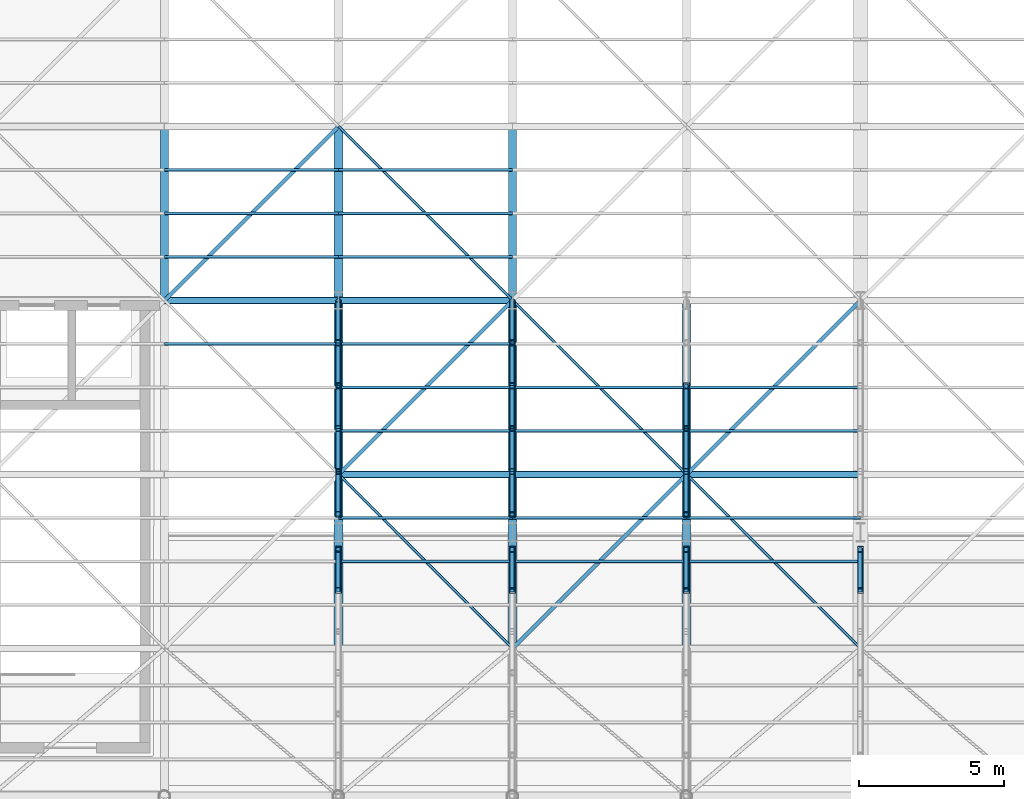
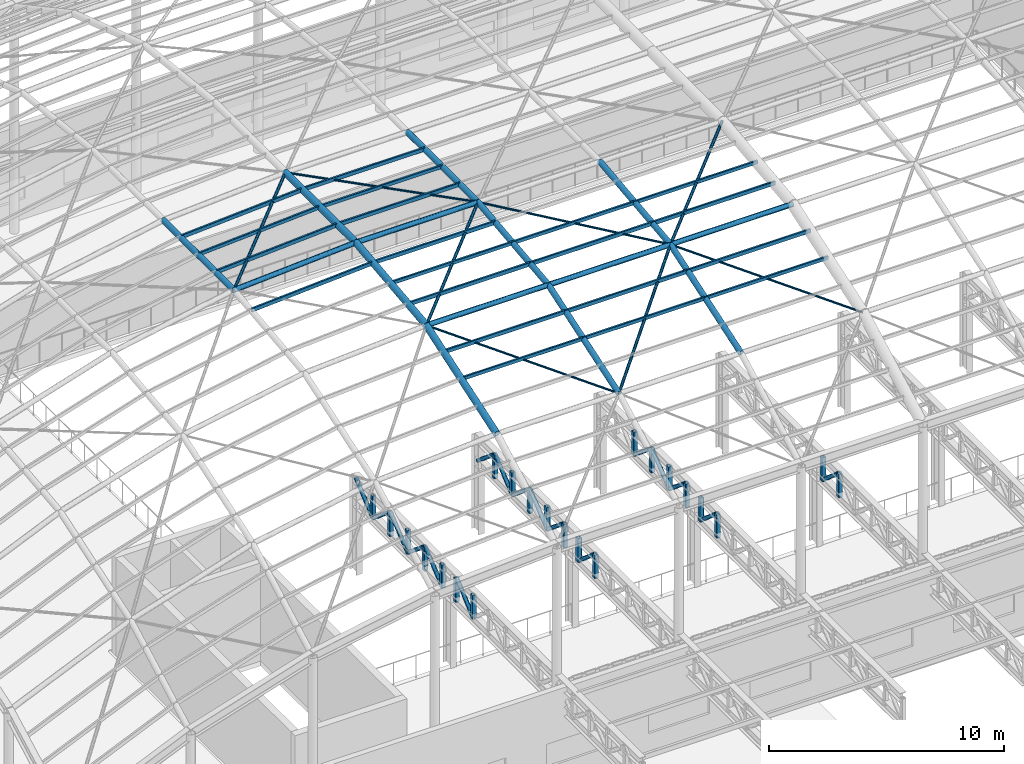
# One storey, part 29 of 75: 81 members.
"""IFC4 building model written with IfcOpenShell, lengths in metres."""

from ifc_helpers import new_model, si_unit, direction, frame, origin, origin_2d, place, context, subcontext, project, spatial, hollow_rectangle, hollow_circle, extrude, material, material_profile, profile_set, type_object, element, save


model = new_model("IFC4")

# Units and contexts
model_context = context("Model", 3, precision=1e-05, world=origin(), true_north=direction((0.0, 1.0)))
body_context = subcontext(model_context, "Body", "Model", "MODEL_VIEW")
ifc_project = project(units=[si_unit("LENGTHUNIT", "METRE"), si_unit("AREAUNIT", "SQUARE_METRE"), si_unit("VOLUMEUNIT", "CUBIC_METRE"), si_unit("PLANEANGLEUNIT", "RADIAN"), si_unit("MASSUNIT", "GRAM", prefix="KILO")], contexts=[model_context])

# Site, building, storey
site_placement = place(None, origin())
site = spatial("IfcSite", under=ifc_project, at=site_placement, CompositionType="ELEMENT")
building_placement = place(site_placement, origin())
building = spatial("IfcBuilding", under=site, at=building_placement, Name="Kolvaren Corner Interchange", CompositionType="ELEMENT")
storey_placement = place(building_placement, frame((0.0, 0.0, 10.5)))
storey = spatial("IfcBuildingStorey", under=building, at=storey_placement, Name="L03", CompositionType="ELEMENT", Elevation=10.5)

# Members
ifc_material_1 = material(Name="Steel S355", Category="steel")
ifc_material_profile_1 = material_profile(ifc_material_1, hollow_circle(Radius=0.05078125, WallThickness=0.00634765625, at=origin_2d()), Name="CHS 101.6x6.3")
ifc_profile_set_1 = profile_set([ifc_material_profile_1], Name="Steel S355")
member_type_1 = type_object("IfcMemberType", Name="MEM-BR-CHS102", PredefinedType="BRACE", material=ifc_profile_set_1)
member_1_placement = place(storey_placement, frame((72.0, 36.0, 16.4130859375), z_axis=(0.688247201612, -0.688247201612, -0.229415733871), x_axis=(0.707106781187, 0.707106781187, 0.0)))
element("IfcMember", 1, at=member_1_placement, inside=storey, type_object=member_type_1, Name="Concourse Translational Gridshell Nodal Diagonal Brace 0034", PredefinedType="BRACE", context=body_context, shape_type="SweptSolid", body=[
    extrude(hollow_circle(Radius=0.05078125, WallThickness=0.00634765625, at=origin_2d()), origin(), (0.0, 0.0, 1.0), 8.7177734375),
])
member_2_placement = place(storey_placement, frame((72.0, 48.0, 17.080078125), z_axis=(0.707106781187, -0.707106781187, 0.0), x_axis=(0.707106781187, 0.707106781187, 0.0)))
element("IfcMember", 2, at=member_2_placement, inside=storey, type_object=member_type_1, Name="Concourse Translational Gridshell Nodal Diagonal Brace 0036", PredefinedType="BRACE", context=body_context, shape_type="SweptSolid", body=[
    extrude(hollow_circle(Radius=0.05078125, WallThickness=0.00634765625, at=origin_2d()), origin(), (0.0, 0.0, 1.0), 8.4853515625),
])
member_3_placement = place(storey_placement, frame((78.0, 42.0, 17.080078125), z_axis=(0.704932292788, -0.704932292788, -0.078364055334), x_axis=(0.707106781187, 0.707106781187, 0.0)))
element("IfcMember", 3, at=member_3_placement, inside=storey, type_object=member_type_1, Name="Concourse Translational Gridshell Nodal Diagonal Brace 0043", PredefinedType="BRACE", context=body_context, shape_type="SweptSolid", body=[
    extrude(hollow_circle(Radius=0.05078125, WallThickness=0.00634765625, at=origin_2d()), origin(), (0.0, 0.0, 1.0), 8.511474609375),
])
member_4_placement = place(storey_placement, frame((84.0, 36.0, 16.4130859375), z_axis=(0.688247201612, -0.688247201612, -0.229415733871), x_axis=(0.707106781187, 0.707106781187, 0.0)))
element("IfcMember", 4, at=member_4_placement, inside=storey, type_object=member_type_1, Name="Concourse Translational Gridshell Nodal Diagonal Brace 0050", PredefinedType="BRACE", context=body_context, shape_type="SweptSolid", body=[
    extrude(hollow_circle(Radius=0.05078125, WallThickness=0.00634765625, at=origin_2d()), origin(), (0.0, 0.0, 1.0), 8.7177734375),
])
ifc_material_2 = material(Name="Steel S355", Category="steel")
ifc_material_profile_2 = material_profile(ifc_material_2, hollow_circle(Radius=0.06982421875, WallThickness=0.008056640625, at=origin_2d()), Name="CHS 139.7x8.0")
ifc_profile_set_2 = profile_set([ifc_material_profile_2], Name="Steel S355")
member_type_2 = type_object("IfcMemberType", Name="MEM-BR-CHS140", PredefinedType="BRACE", material=ifc_profile_set_2)
member_5_placement = place(storey_placement, frame((66.0, 42.0, 16.705078125), z_axis=(0.706417257101, 0.706417257101, 0.044151078569), x_axis=(-0.707106781187, 0.707106781187, 0.0)))
element("IfcMember", 5, at=member_5_placement, inside=storey, type_object=member_type_2, Name="Concourse Translational Gridshell Nodal Diagonal Brace 0028", PredefinedType="BRACE", context=body_context, shape_type="SweptSolid", body=[
    extrude(hollow_circle(Radius=0.06982421875, WallThickness=0.008056640625, at=origin_2d()), origin(), (0.0, 0.0, 1.0), 8.49365234375),
])
member_6_placement = place(storey_placement, frame((72.0, 36.0, 16.4130859375), z_axis=(0.704932292788, 0.704932292788, 0.078364055334), x_axis=(-0.707106781187, 0.707106781187, 0.0)))
element("IfcMember", 6, at=member_6_placement, inside=storey, type_object=member_type_2, Name="Concourse Translational Gridshell Nodal Diagonal Brace 0035", PredefinedType="BRACE", context=body_context, shape_type="SweptSolid", body=[
    extrude(hollow_circle(Radius=0.06982421875, WallThickness=0.008056640625, at=origin_2d()), origin(), (0.0, 0.0, 1.0), 8.511474609375),
])
member_7_placement = place(storey_placement, frame((78.0, 30.0, 14.4130859375), z_axis=(0.688247201612, 0.688247201612, 0.229415733871), x_axis=(-0.707106781187, 0.707106781187, 0.0)))
element("IfcMember", 7, at=member_7_placement, inside=storey, type_object=member_type_2, Name="Concourse Translational Gridshell Nodal Diagonal Brace 0042", PredefinedType="BRACE", context=body_context, shape_type="SweptSolid", body=[
    extrude(hollow_circle(Radius=0.06982421875, WallThickness=0.008056640625, at=origin_2d()), origin(), (0.0, 0.0, 1.0), 8.7177734375),
])
member_8_placement = place(storey_placement, frame((84.0, 36.0, 16.4130859375), z_axis=(0.704932292788, 0.704932292788, 0.078364055334), x_axis=(-0.707106781187, 0.707106781187, 0.0)))
element("IfcMember", 8, at=member_8_placement, inside=storey, type_object=member_type_2, Name="Concourse Translational Gridshell Nodal Diagonal Brace 0051", PredefinedType="BRACE", context=body_context, shape_type="SweptSolid", body=[
    extrude(hollow_circle(Radius=0.06982421875, WallThickness=0.008056640625, at=origin_2d()), origin(), (0.0, 0.0, 1.0), 8.511474609375),
])
ifc_material_3 = material(Name="Steel S355", Category="steel")
ifc_material_profile_3 = material_profile(ifc_material_3, hollow_circle(Radius=0.096923828125, WallThickness=0.010009765625, at=origin_2d()), Name="CHS 193.7x10.0")
ifc_profile_set_3 = profile_set([ifc_material_profile_3], Name="Steel S355")
member_type_3 = type_object("IfcMemberType", Name="MEM-BR-CHS194", PredefinedType="BRACE", material=ifc_profile_set_3)
member_9_placement = place(storey_placement, frame((72.0, 32.0, 3.64990234375), z_axis=(0.0, 0.758427540561, 0.651757367215), x_axis=(-1.0, 0.0, 0.0)))
element("IfcMember", 9, at=member_9_placement, inside=storey, type_object=member_type_3, Name="South Portal Cantilever Roof Truss TOP Line 1 Diagonal 11", PredefinedType="BRACE", context=body_context, shape_type="SweptSolid", body=[
    extrude(hollow_circle(Radius=0.096923828125, WallThickness=0.010009765625, at=origin_2d()), origin(), (0.0, 0.0, 1.0), 1.8720703125),
])
for number, where, z_axis, x_axis, name in (
    (10, (72.0, 34.6201171875, 3.64990234375), (0.0, 0.771570054348, 0.636144363516), (-1.0, 0.0, 0.0), "South Portal Cantilever Roof Truss TOP Line 1 Diagonal 13"),
    (11, (72.0, 36.10009765625, 4.8701171875), (0.0, 0.771570054348, -0.636144363516), (-1.0, 0.0, 0.0), "South Portal Cantilever Roof Truss TOP Line 1 Diagonal 14"),
    (12, (72.0, 37.580078125, 3.64990234375), (0.0, 0.771570054348, 0.636144363516), (-1.0, 0.0, 0.0), "South Portal Cantilever Roof Truss TOP Line 1 Diagonal 15"),
    (13, (72.0, 39.06005859375, 4.8701171875), (0.0, 0.771570054348, -0.636144363516), (-1.0, 0.0, 0.0), "South Portal Cantilever Roof Truss TOP Line 1 Diagonal 16"),
):
    element("IfcMember", number, at=place(storey_placement, frame(where, z_axis=z_axis, x_axis=x_axis)), inside=storey, type_object=member_type_3, Name=name, PredefinedType="BRACE", context=body_context, shape_type="SweptSolid", body=[
        extrude(hollow_circle(Radius=0.096923828125, WallThickness=0.010009765625, at=origin_2d()), origin(), (0.0, 0.0, 1.0), 1.918212890625),
    ])
member_10_placement = place(storey_placement, frame((72.0, 40.5400390625, 3.64990234375), z_axis=(0.0, 0.76729496063, 0.641294350039), x_axis=(-1.0, 0.0, 0.0)))
element("IfcMember", 14, at=member_10_placement, inside=storey, type_object=member_type_3, Name="South Portal Cantilever Roof Truss TOP Line 1 Diagonal 17", PredefinedType="BRACE", context=body_context, shape_type="SweptSolid", body=[
    extrude(hollow_circle(Radius=0.096923828125, WallThickness=0.010009765625, at=origin_2d()), origin(), (0.0, 0.0, 1.0), 1.90283203125),
])
member_11_placement = place(storey_placement, frame((78.0, 32.0, 4.8701171875), z_axis=(0.0, 0.758427540561, -0.651757367215), x_axis=(-1.0, 0.0, 0.0)))
element("IfcMember", 15, at=member_11_placement, inside=storey, type_object=member_type_3, Name="South Portal Cantilever Roof Truss TOP Line 2 Diagonal 12", PredefinedType="BRACE", context=body_context, shape_type="SweptSolid", body=[
    extrude(hollow_circle(Radius=0.096923828125, WallThickness=0.010009765625, at=origin_2d()), origin(), (0.0, 0.0, 1.0), 1.8720703125),
])
for number, where, z_axis, x_axis, name in (
    (16, (78.0, 34.6201171875, 4.8701171875), (0.0, 0.771570054348, -0.636144363516), (-1.0, 0.0, 0.0), "South Portal Cantilever Roof Truss TOP Line 2 Diagonal 14"),
    (17, (78.0, 36.10009765625, 3.64990234375), (0.0, 0.771570054348, 0.636144363516), (-1.0, 0.0, 0.0), "South Portal Cantilever Roof Truss TOP Line 2 Diagonal 15"),
    (18, (78.0, 37.580078125, 4.8701171875), (0.0, 0.771570054348, -0.636144363516), (-1.0, 0.0, 0.0), "South Portal Cantilever Roof Truss TOP Line 2 Diagonal 16"),
    (19, (78.0, 39.06005859375, 3.64990234375), (0.0, 0.771570054348, 0.636144363516), (-1.0, 0.0, 0.0), "South Portal Cantilever Roof Truss TOP Line 2 Diagonal 17"),
):
    element("IfcMember", number, at=place(storey_placement, frame(where, z_axis=z_axis, x_axis=x_axis)), inside=storey, type_object=member_type_3, Name=name, PredefinedType="BRACE", context=body_context, shape_type="SweptSolid", body=[
        extrude(hollow_circle(Radius=0.096923828125, WallThickness=0.010009765625, at=origin_2d()), origin(), (0.0, 0.0, 1.0), 1.918212890625),
    ])
member_12_placement = place(storey_placement, frame((78.0, 40.5400390625, 4.8701171875), z_axis=(0.0, 0.76729496063, -0.641294350039), x_axis=(-1.0, 0.0, 0.0)))
element("IfcMember", 20, at=member_12_placement, inside=storey, type_object=member_type_3, Name="South Portal Cantilever Roof Truss TOP Line 2 Diagonal 18", PredefinedType="BRACE", context=body_context, shape_type="SweptSolid", body=[
    extrude(hollow_circle(Radius=0.096923828125, WallThickness=0.010009765625, at=origin_2d()), origin(), (0.0, 0.0, 1.0), 1.90283203125),
])
member_13_placement = place(storey_placement, frame((84.0, 32.0, 4.8701171875), z_axis=(0.0, 0.758427540561, -0.651757367215), x_axis=(-1.0, 0.0, 0.0)))
element("IfcMember", 21, at=member_13_placement, inside=storey, type_object=member_type_3, Name="South Portal Cantilever Roof Truss TOP Line 3 Diagonal 12", PredefinedType="BRACE", context=body_context, shape_type="SweptSolid", body=[
    extrude(hollow_circle(Radius=0.096923828125, WallThickness=0.010009765625, at=origin_2d()), origin(), (0.0, 0.0, 1.0), 1.8720703125),
])
for number, where, z_axis, x_axis, name in (
    (22, (84.0, 34.6201171875, 4.8701171875), (0.0, 0.771570054348, -0.636144363516), (-1.0, 0.0, 0.0), "South Portal Cantilever Roof Truss TOP Line 3 Diagonal 14"),
    (23, (84.0, 36.10009765625, 3.64990234375), (0.0, 0.771570054348, 0.636144363516), (-1.0, 0.0, 0.0), "South Portal Cantilever Roof Truss TOP Line 3 Diagonal 15"),
    (24, (84.0, 37.580078125, 4.8701171875), (0.0, 0.771570054348, -0.636144363516), (-1.0, 0.0, 0.0), "South Portal Cantilever Roof Truss TOP Line 3 Diagonal 16"),
):
    element("IfcMember", number, at=place(storey_placement, frame(where, z_axis=z_axis, x_axis=x_axis)), inside=storey, type_object=member_type_3, Name=name, PredefinedType="BRACE", context=body_context, shape_type="SweptSolid", body=[
        extrude(hollow_circle(Radius=0.096923828125, WallThickness=0.010009765625, at=origin_2d()), origin(), (0.0, 0.0, 1.0), 1.918212890625),
    ])
member_14_placement = place(storey_placement, frame((90.0, 32.0, 4.8701171875), z_axis=(0.0, 0.758427540561, -0.651757367215), x_axis=(-1.0, 0.0, 0.0)))
element("IfcMember", 25, at=member_14_placement, inside=storey, type_object=member_type_3, Name="South Portal Cantilever Roof Truss TOP Line 4 Diagonal 12", PredefinedType="BRACE", context=body_context, shape_type="SweptSolid", body=[
    extrude(hollow_circle(Radius=0.096923828125, WallThickness=0.010009765625, at=origin_2d()), origin(), (0.0, 0.0, 1.0), 1.8720703125),
])
ifc_material_4 = material(Name="Steel S355", Category="steel")
ifc_material_profile_4 = material_profile(ifc_material_4, hollow_circle(Radius=0.122314453125, WallThickness=0.012451171875, at=origin_2d()), Name="CHS 244.5x12.5")
ifc_profile_set_4 = profile_set([ifc_material_profile_4], Name="Steel S355")
member_type_4 = type_object("IfcMemberType", Name="MEM-CH-CHS245", PredefinedType="CHORD", material=ifc_profile_set_4)
for number, where, z_axis, x_axis, name in (
    (26, (72.0, 36.0, 16.4130859375), (1.0, 0.0, 0.0), (0.0, 1.0, 0.0), "Concourse Translational Gridshell Longitudinal Arch Chord 0123"),
    (27, (78.0, 36.0, 16.4130859375), (1.0, 0.0, 0.0), (0.0, 1.0, 0.0), "Concourse Translational Gridshell Longitudinal Arch Chord 0124"),
    (28, (84.0, 36.0, 16.4130859375), (1.0, 0.0, 0.0), (0.0, 1.0, 0.0), "Concourse Translational Gridshell Longitudinal Arch Chord 0125"),
):
    element("IfcMember", number, at=place(storey_placement, frame(where, z_axis=z_axis, x_axis=x_axis)), inside=storey, type_object=member_type_4, Name=name, PredefinedType="CHORD", context=body_context, shape_type="SweptSolid", body=[
        extrude(hollow_circle(Radius=0.122314453125, WallThickness=0.012451171875, at=origin_2d()), origin(), (0.0, 0.0, 1.0), 6.0),
    ])
member_15_placement = place(storey_placement, frame((66.0, 42.0, 16.705078125), z_axis=(0.998052578483, 0.0, 0.062378286155), x_axis=(0.0, 1.0, 0.0)))
element("IfcMember", 29, at=member_15_placement, inside=storey, type_object=member_type_4, Name="Concourse Translational Gridshell Longitudinal Arch Chord 0136", PredefinedType="CHORD", context=body_context, shape_type="SweptSolid", body=[
    extrude(hollow_circle(Radius=0.122314453125, WallThickness=0.012451171875, at=origin_2d()), origin(), (0.0, 0.0, 1.0), 6.01171875),
])
member_16_placement = place(storey_placement, frame((72.0, 42.0, 17.080078125), z_axis=(1.0, 0.0, 0.0), x_axis=(0.0, 1.0, 0.0)))
element("IfcMember", 30, at=member_16_placement, inside=storey, type_object=member_type_4, Name="Concourse Translational Gridshell Longitudinal Arch Chord 0137", PredefinedType="CHORD", context=body_context, shape_type="SweptSolid", body=[
    extrude(hollow_circle(Radius=0.122314453125, WallThickness=0.012451171875, at=origin_2d()), origin(), (0.0, 0.0, 1.0), 6.0),
])
ifc_material_5 = material(Name="Steel S355", Category="steel")
ifc_material_profile_5 = material_profile(ifc_material_5, hollow_circle(Radius=0.136474609375, WallThickness=0.012451171875, at=origin_2d()), Name="CHS 273.0x12.5")
ifc_profile_set_5 = profile_set([ifc_material_profile_5], Name="Steel S355")
member_type_5 = type_object("IfcMemberType", Name="MEM-CH-CHS273", PredefinedType="CHORD", material=ifc_profile_set_5)
member_17_placement = place(storey_placement, frame((66.0, 42.0, 16.705078125), z_axis=(0.0, 1.0, 0.0), x_axis=(-1.0, 0.0, 0.0)))
element("IfcMember", 31, at=member_17_placement, inside=storey, type_object=member_type_5, Name="Concourse Translational Gridshell Transverse Arch Chord 0020", PredefinedType="CHORD", context=body_context, shape_type="SweptSolid", body=[
    extrude(hollow_circle(Radius=0.136474609375, WallThickness=0.012451171875, at=origin_2d()), origin(), (0.0, 0.0, 1.0), 6.0),
])
member_18_placement = place(storey_placement, frame((78.0, 30.0, 14.4130859375), z_axis=(0.0, 0.948683298051, 0.316227766017), x_axis=(-1.0, 0.0, 0.0)))
element("IfcMember", 32, at=member_18_placement, inside=storey, type_object=member_type_5, Name="Concourse Translational Gridshell Transverse Arch Chord 0034", PredefinedType="CHORD", context=body_context, shape_type="SweptSolid", body=[
    extrude(hollow_circle(Radius=0.136474609375, WallThickness=0.012451171875, at=origin_2d()), origin(), (0.0, 0.0, 1.0), 6.324462890625),
])
member_19_placement = place(storey_placement, frame((78.0, 36.0, 16.4130859375), z_axis=(0.0, 0.993877815052, 0.110484789662), x_axis=(-1.0, 0.0, 0.0)))
element("IfcMember", 33, at=member_19_placement, inside=storey, type_object=member_type_5, Name="Concourse Translational Gridshell Transverse Arch Chord 0035", PredefinedType="CHORD", context=body_context, shape_type="SweptSolid", body=[
    extrude(hollow_circle(Radius=0.136474609375, WallThickness=0.012451171875, at=origin_2d()), origin(), (0.0, 0.0, 1.0), 6.036865234375),
])
member_20_placement = place(storey_placement, frame((78.0, 42.0, 17.080078125), z_axis=(0.0, 1.0, 0.0), x_axis=(-1.0, 0.0, 0.0)))
element("IfcMember", 34, at=member_20_placement, inside=storey, type_object=member_type_5, Name="Concourse Translational Gridshell Transverse Arch Chord 0036", PredefinedType="CHORD", context=body_context, shape_type="SweptSolid", body=[
    extrude(hollow_circle(Radius=0.136474609375, WallThickness=0.012451171875, at=origin_2d()), origin(), (0.0, 0.0, 1.0), 6.0),
])
member_21_placement = place(storey_placement, frame((84.0, 30.0, 14.4130859375), z_axis=(0.0, 0.948683298051, 0.316227766017), x_axis=(-1.0, 0.0, 0.0)))
element("IfcMember", 35, at=member_21_placement, inside=storey, type_object=member_type_5, Name="Concourse Translational Gridshell Transverse Arch Chord 0042", PredefinedType="CHORD", context=body_context, shape_type="SweptSolid", body=[
    extrude(hollow_circle(Radius=0.136474609375, WallThickness=0.012451171875, at=origin_2d()), origin(), (0.0, 0.0, 1.0), 6.324462890625),
])
member_22_placement = place(storey_placement, frame((84.0, 36.0, 16.4130859375), z_axis=(0.0, 0.993877815052, 0.110484789662), x_axis=(-1.0, 0.0, 0.0)))
element("IfcMember", 36, at=member_22_placement, inside=storey, type_object=member_type_5, Name="Concourse Translational Gridshell Transverse Arch Chord 0043", PredefinedType="CHORD", context=body_context, shape_type="SweptSolid", body=[
    extrude(hollow_circle(Radius=0.136474609375, WallThickness=0.012451171875, at=origin_2d()), origin(), (0.0, 0.0, 1.0), 6.036865234375),
])
ifc_material_6 = material(Name="Steel S355", Category="steel")
ifc_material_profile_6 = material_profile(ifc_material_6, hollow_circle(Radius=0.161865234375, WallThickness=0.012451171875, at=origin_2d()), Name="CHS 323.9x12.5")
ifc_profile_set_6 = profile_set([ifc_material_profile_6], Name="Steel S355")
member_type_6 = type_object("IfcMemberType", Name="MEM-CH-CHS324", PredefinedType="CHORD", material=ifc_profile_set_6)
member_23_placement = place(storey_placement, frame((72.0, 30.0, 14.4130859375), z_axis=(0.0, 0.948683298051, 0.316227766017), x_axis=(-1.0, 0.0, 0.0)))
element("IfcMember", 37, at=member_23_placement, inside=storey, type_object=member_type_6, Name="Concourse Translational Gridshell Transverse Arch Chord 0026", PredefinedType="CHORD", context=body_context, shape_type="SweptSolid", body=[
    extrude(hollow_circle(Radius=0.161865234375, WallThickness=0.012451171875, at=origin_2d()), origin(), (0.0, 0.0, 1.0), 6.324462890625),
])
member_24_placement = place(storey_placement, frame((72.0, 36.0, 16.4130859375), z_axis=(0.0, 0.993877815052, 0.110484789662), x_axis=(-1.0, 0.0, 0.0)))
element("IfcMember", 38, at=member_24_placement, inside=storey, type_object=member_type_6, Name="Concourse Translational Gridshell Transverse Arch Chord 0027", PredefinedType="CHORD", context=body_context, shape_type="SweptSolid", body=[
    extrude(hollow_circle(Radius=0.161865234375, WallThickness=0.012451171875, at=origin_2d()), origin(), (0.0, 0.0, 1.0), 6.036865234375),
])
member_25_placement = place(storey_placement, frame((72.0, 42.0, 17.080078125), z_axis=(0.0, 1.0, 0.0), x_axis=(-1.0, 0.0, 0.0)))
element("IfcMember", 39, at=member_25_placement, inside=storey, type_object=member_type_6, Name="Concourse Translational Gridshell Transverse Arch Chord 0028", PredefinedType="CHORD", context=body_context, shape_type="SweptSolid", body=[
    extrude(hollow_circle(Radius=0.161865234375, WallThickness=0.012451171875, at=origin_2d()), origin(), (0.0, 0.0, 1.0), 6.0),
])
ifc_material_7 = material(Name="Steel S355", Category="steel")
ifc_material_profile_7 = material_profile(ifc_material_7, hollow_rectangle(XDim=0.10009765625, YDim=0.179931640625, WallThickness=0.008056640625, InnerFilletRadius=0.008056640625, OuterFilletRadius=0.01611328125, at=origin_2d()), Name="RHS 180x100x8.0")
ifc_profile_set_7 = profile_set([ifc_material_profile_7], Name="Steel S355")
member_type_7 = type_object("IfcMemberType", Name="MEM-PR-RHS180", PredefinedType="PURLIN", material=ifc_profile_set_7)
member_26_placement = place(storey_placement, frame((66.0, 45.0, 16.7529296875), z_axis=(0.998052578483, 0.0, 0.062378286155), x_axis=(0.0, 1.0, 0.0)))
element("IfcMember", 40, at=member_26_placement, inside=storey, type_object=member_type_7, Name="Concourse Translational Gridshell Glazing Purlin 0028 Row 2", PredefinedType="PURLIN", context=body_context, shape_type="SweptSolid", body=[
    extrude(hollow_rectangle(XDim=0.10009765625, YDim=0.179931640625, WallThickness=0.008056640625, InnerFilletRadius=0.008056640625, OuterFilletRadius=0.01611328125, at=origin_2d()), origin(), (0.0, 0.0, 1.0), 6.01171875),
])
for number, where, z_axis, x_axis, name in (
    (41, (72.0, 33.0, 15.4609375), (1.0, 0.0, 0.0), (0.0, 1.0, 0.0), "Concourse Translational Gridshell Glazing Purlin 0034 Row 2"),
    (42, (72.0, 39.0, 16.79443359375), (1.0, 0.0, 0.0), (0.0, 1.0, 0.0), "Concourse Translational Gridshell Glazing Purlin 0035 Row 2"),
    (43, (72.0, 45.0, 17.1279296875), (1.0, 0.0, 0.0), (0.0, 1.0, 0.0), "Concourse Translational Gridshell Glazing Purlin 0036 Row 2"),
    (44, (78.0, 33.0, 15.4609375), (1.0, 0.0, 0.0), (0.0, 1.0, 0.0), "Concourse Translational Gridshell Glazing Purlin 0042 Row 2"),
    (45, (78.0, 39.0, 16.79443359375), (1.0, 0.0, 0.0), (0.0, 1.0, 0.0), "Concourse Translational Gridshell Glazing Purlin 0043 Row 2"),
    (46, (84.0, 33.0, 15.4609375), (1.0, 0.0, 0.0), (0.0, 1.0, 0.0), "Concourse Translational Gridshell Glazing Purlin 0050 Row 2"),
    (47, (84.0, 39.0, 16.79443359375), (1.0, 0.0, 0.0), (0.0, 1.0, 0.0), "Concourse Translational Gridshell Glazing Purlin 0051 Row 2"),
):
    element("IfcMember", number, at=place(storey_placement, frame(where, z_axis=z_axis, x_axis=x_axis)), inside=storey, type_object=member_type_7, Name=name, PredefinedType="PURLIN", context=body_context, shape_type="SweptSolid", body=[
        extrude(hollow_rectangle(XDim=0.10009765625, YDim=0.179931640625, WallThickness=0.008056640625, InnerFilletRadius=0.008056640625, OuterFilletRadius=0.01611328125, at=origin_2d()), origin(), (0.0, 0.0, 1.0), 6.0),
    ])
ifc_material_8 = material(Name="Steel S355", Category="steel")
ifc_material_profile_8 = material_profile(ifc_material_8, hollow_rectangle(XDim=0.10009765625, YDim=0.199951171875, WallThickness=0.008056640625, InnerFilletRadius=0.008056640625, OuterFilletRadius=0.01611328125, at=origin_2d()), Name="RHS 200x100x8.0")
ifc_profile_set_8 = profile_set([ifc_material_profile_8], Name="Steel S355")
member_type_8 = type_object("IfcMemberType", Name="MEM-PR-RHS200", PredefinedType="PURLIN", material=ifc_profile_set_8)
for number, where, z_axis, x_axis, name in (
    (48, (66.0, 40.5, 16.576171875), (0.998052578483, 0.0, 0.062378286155), (0.0, 1.0, 0.0), "Concourse Translational Gridshell Glazing Purlin 0027 Row 3"),
    (49, (66.0, 43.5, 16.742919921875), (0.998052578483, 0.0, 0.062378286155), (0.0, 1.0, 0.0), "Concourse Translational Gridshell Glazing Purlin 0028 Row 1"),
    (50, (66.0, 46.5, 16.742919921875), (0.998052578483, 0.0, 0.062378286155), (0.0, 1.0, 0.0), "Concourse Translational Gridshell Glazing Purlin 0028 Row 3"),
):
    element("IfcMember", number, at=place(storey_placement, frame(where, z_axis=z_axis, x_axis=x_axis)), inside=storey, type_object=member_type_8, Name=name, PredefinedType="PURLIN", context=body_context, shape_type="SweptSolid", body=[
        extrude(hollow_rectangle(XDim=0.10009765625, YDim=0.199951171875, WallThickness=0.008056640625, InnerFilletRadius=0.008056640625, OuterFilletRadius=0.01611328125, at=origin_2d()), origin(), (0.0, 0.0, 1.0), 6.01171875),
    ])
for number, where, z_axis, x_axis, name in (
    (51, (72.0, 34.5, 15.950927734375), (1.0, 0.0, 0.0), (0.0, 1.0, 0.0), "Concourse Translational Gridshell Glazing Purlin 0034 Row 3"),
    (52, (72.0, 37.5, 16.61767578125), (1.0, 0.0, 0.0), (0.0, 1.0, 0.0), "Concourse Translational Gridshell Glazing Purlin 0035 Row 1"),
    (53, (72.0, 40.5, 16.951171875), (1.0, 0.0, 0.0), (0.0, 1.0, 0.0), "Concourse Translational Gridshell Glazing Purlin 0035 Row 3"),
    (54, (72.0, 43.5, 17.117919921875), (1.0, 0.0, 0.0), (0.0, 1.0, 0.0), "Concourse Translational Gridshell Glazing Purlin 0036 Row 1"),
    (55, (72.0, 46.5, 17.117919921875), (1.0, 0.0, 0.0), (0.0, 1.0, 0.0), "Concourse Translational Gridshell Glazing Purlin 0036 Row 3"),
    (56, (78.0, 34.5, 15.950927734375), (1.0, 0.0, 0.0), (0.0, 1.0, 0.0), "Concourse Translational Gridshell Glazing Purlin 0042 Row 3"),
    (57, (78.0, 37.5, 16.61767578125), (1.0, 0.0, 0.0), (0.0, 1.0, 0.0), "Concourse Translational Gridshell Glazing Purlin 0043 Row 1"),
    (58, (84.0, 34.5, 15.950927734375), (1.0, 0.0, 0.0), (0.0, 1.0, 0.0), "Concourse Translational Gridshell Glazing Purlin 0050 Row 3"),
    (59, (84.0, 37.5, 16.61767578125), (1.0, 0.0, 0.0), (0.0, 1.0, 0.0), "Concourse Translational Gridshell Glazing Purlin 0051 Row 1"),
):
    element("IfcMember", number, at=place(storey_placement, frame(where, z_axis=z_axis, x_axis=x_axis)), inside=storey, type_object=member_type_8, Name=name, PredefinedType="PURLIN", context=body_context, shape_type="SweptSolid", body=[
        extrude(hollow_rectangle(XDim=0.10009765625, YDim=0.199951171875, WallThickness=0.008056640625, InnerFilletRadius=0.008056640625, OuterFilletRadius=0.01611328125, at=origin_2d()), origin(), (0.0, 0.0, 1.0), 6.0),
    ])
ifc_material_9 = material(Name="Steel S355", Category="steel")
ifc_material_profile_9 = material_profile(ifc_material_9, hollow_rectangle(XDim=0.199951171875, YDim=0.199951171875, WallThickness=0.010009765625, InnerFilletRadius=0.010009765625, OuterFilletRadius=0.02001953125, at=origin_2d()), Name="SHS 200x200x10.0")
ifc_profile_set_9 = profile_set([ifc_material_profile_9], Name="Steel S355")
member_type_9 = type_object("IfcMemberType", Name="MEM-PT-SHS200", PredefinedType="POST", material=ifc_profile_set_9)
for number, where, z_axis, x_axis, name in (
    (60, (72.0, 32.0, 3.64990234375), (0.0, 0.0, 1.0), (1.0, 0.0, 0.0), "South Portal Cantilever Roof Truss TOP Line 1 Web Post 11"),
    (61, (72.0, 33.419921875, 3.64990234375), (0.0, 0.0, 1.0), (1.0, 0.0, 0.0), "South Portal Cantilever Roof Truss TOP Line 1 Web Post 12"),
    (62, (72.0, 34.6201171875, 3.64990234375), (0.0, 0.0, 1.0), (1.0, 0.0, 0.0), "South Portal Cantilever Roof Truss TOP Line 1 Web Post 13"),
    (63, (72.0, 36.10009765625, 3.64990234375), (0.0, 0.0, 1.0), (1.0, 0.0, 0.0), "South Portal Cantilever Roof Truss TOP Line 1 Web Post 14"),
    (64, (72.0, 37.580078125, 3.64990234375), (0.0, 0.0, 1.0), (1.0, 0.0, 0.0), "South Portal Cantilever Roof Truss TOP Line 1 Web Post 15"),
    (65, (72.0, 39.06005859375, 3.64990234375), (0.0, 0.0, 1.0), (1.0, 0.0, 0.0), "South Portal Cantilever Roof Truss TOP Line 1 Web Post 16"),
    (66, (72.0, 40.5400390625, 3.64990234375), (0.0, 0.0, 1.0), (1.0, 0.0, 0.0), "South Portal Cantilever Roof Truss TOP Line 1 Web Post 17"),
    (67, (78.0, 32.0, 3.64990234375), (0.0, 0.0, 1.0), (1.0, 0.0, 0.0), "South Portal Cantilever Roof Truss TOP Line 2 Web Post 12"),
    (68, (78.0, 33.419921875, 3.64990234375), (0.0, 0.0, 1.0), (1.0, 0.0, 0.0), "South Portal Cantilever Roof Truss TOP Line 2 Web Post 13"),
    (69, (78.0, 34.6201171875, 3.64990234375), (0.0, 0.0, 1.0), (1.0, 0.0, 0.0), "South Portal Cantilever Roof Truss TOP Line 2 Web Post 14"),
    (70, (78.0, 36.10009765625, 3.64990234375), (0.0, 0.0, 1.0), (1.0, 0.0, 0.0), "South Portal Cantilever Roof Truss TOP Line 2 Web Post 15"),
    (71, (78.0, 37.580078125, 3.64990234375), (0.0, 0.0, 1.0), (1.0, 0.0, 0.0), "South Portal Cantilever Roof Truss TOP Line 2 Web Post 16"),
    (72, (78.0, 39.06005859375, 3.64990234375), (0.0, 0.0, 1.0), (1.0, 0.0, 0.0), "South Portal Cantilever Roof Truss TOP Line 2 Web Post 17"),
    (73, (78.0, 40.5400390625, 3.64990234375), (0.0, 0.0, 1.0), (1.0, 0.0, 0.0), "South Portal Cantilever Roof Truss TOP Line 2 Web Post 18"),
    (74, (84.0, 32.0, 3.64990234375), (0.0, 0.0, 1.0), (1.0, 0.0, 0.0), "South Portal Cantilever Roof Truss TOP Line 3 Web Post 12"),
    (75, (84.0, 33.419921875, 3.64990234375), (0.0, 0.0, 1.0), (1.0, 0.0, 0.0), "South Portal Cantilever Roof Truss TOP Line 3 Web Post 13"),
    (76, (84.0, 34.6201171875, 3.64990234375), (0.0, 0.0, 1.0), (1.0, 0.0, 0.0), "South Portal Cantilever Roof Truss TOP Line 3 Web Post 14"),
    (77, (84.0, 36.10009765625, 3.64990234375), (0.0, 0.0, 1.0), (1.0, 0.0, 0.0), "South Portal Cantilever Roof Truss TOP Line 3 Web Post 15"),
    (78, (84.0, 37.580078125, 3.64990234375), (0.0, 0.0, 1.0), (1.0, 0.0, 0.0), "South Portal Cantilever Roof Truss TOP Line 3 Web Post 16"),
    (79, (84.0, 39.06005859375, 3.64990234375), (0.0, 0.0, 1.0), (1.0, 0.0, 0.0), "South Portal Cantilever Roof Truss TOP Line 3 Web Post 17"),
    (80, (90.0, 32.0, 3.64990234375), (0.0, 0.0, 1.0), (1.0, 0.0, 0.0), "South Portal Cantilever Roof Truss TOP Line 4 Web Post 12"),
    (81, (90.0, 33.419921875, 3.64990234375), (0.0, 0.0, 1.0), (1.0, 0.0, 0.0), "South Portal Cantilever Roof Truss TOP Line 4 Web Post 13"),
):
    element("IfcMember", number, at=place(storey_placement, frame(where, z_axis=z_axis, x_axis=x_axis)), inside=storey, type_object=member_type_9, Name=name, PredefinedType="POST", context=body_context, shape_type="SweptSolid", body=[
        extrude(hollow_rectangle(XDim=0.199951171875, YDim=0.199951171875, WallThickness=0.010009765625, InnerFilletRadius=0.010009765625, OuterFilletRadius=0.02001953125, at=origin_2d()), origin(), (0.0, 0.0, 1.0), 1.22021484375),
    ])

save(model, "model.ifc")
